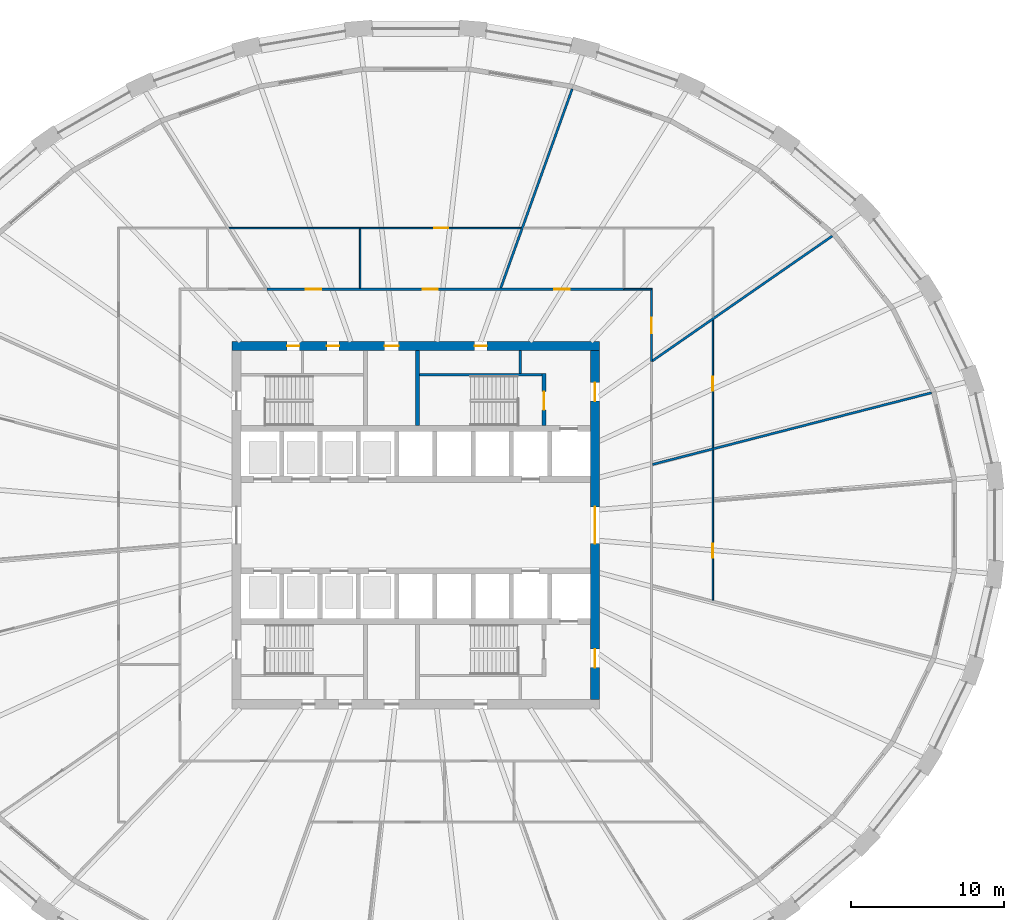
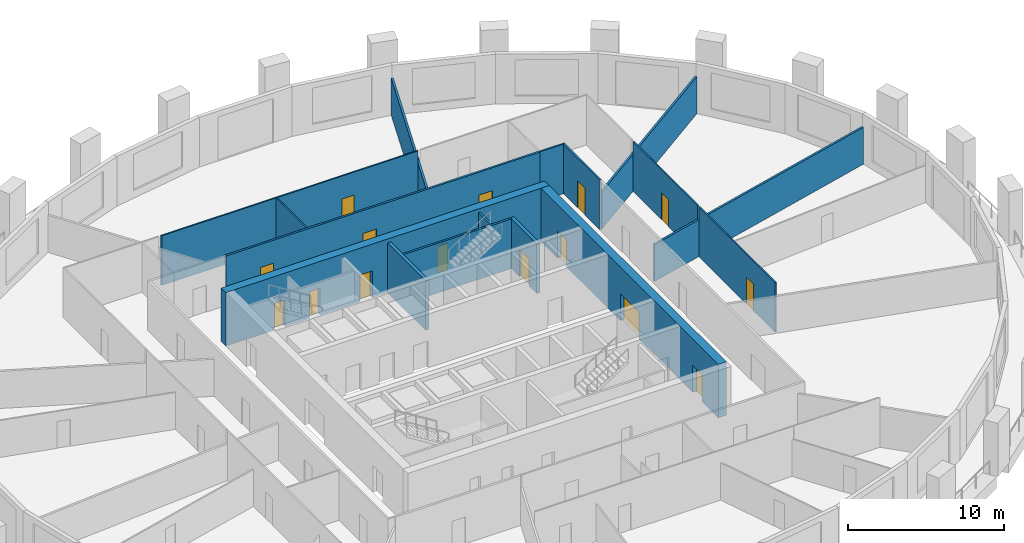
# One storey, part 7 of 12: 16 walls, 15 doors, 15 openings.
"""IFC4 building model written with IfcOpenShell, lengths in metres."""

import ifcopenshell
import ifcopenshell.guid

model = None  # the IFC model being written
_history = None  # IfcOwnerHistory: only IFC2X3 demands one
_inside = {}  # id of a spatial element -> (the spatial element, [elements in it])
_under = {}  # id of a project, library or spatial element -> (it, [spatial elements below it])
_declared = {}  # id of a project -> (the project, [libraries it declares])
_typed = {}  # id of a type object -> (the type object, [elements of that type])
_made_of = {}  # id of a material, layer set ... -> (it, [elements and type objects made of it])


def new_model(schema):
    """Start an empty IFC model of exactly this schema.

    Asked for "IFC4X3", IfcOpenShell would pick the latest addendum, in which some entities
    have other attributes; the version numbers below select the first issue.
    IFC2X3 requires an IfcOwnerHistory on every rooted entity: one is made here for all.
    """
    global model, _history
    if schema == "IFC4X3":
        model = ifcopenshell.file(schema_version=(4, 3, 0, 0))
    else:
        model = ifcopenshell.file(schema=schema)
    _inside.clear()
    _under.clear()
    _declared.clear()
    _typed.clear()
    _made_of.clear()
    _history = None
    if model.schema == "IFC2X3":
        org = make("IfcOrganization", Name="unknown")
        user = make(
            "IfcPersonAndOrganization",
            ThePerson=make("IfcPerson", FamilyName="unknown"),
            TheOrganization=org,
        )
        app = make(
            "IfcApplication",
            ApplicationDeveloper=org,
            Version="unknown",
            ApplicationFullName="unknown",
            ApplicationIdentifier="unknown",
        )
        _history = make(
            "IfcOwnerHistory",
            OwningUser=user,
            OwningApplication=app,
            ChangeAction="ADDED",
            CreationDate=0,
        )
    return model


def make(cls, **values):
    """One entity of the class cls with the attributes given. An attribute that is None is left unset."""
    return model.create_entity(
        cls, **{name: value for name, value in values.items() if value is not None}
    )


def rooted(cls, **values):
    """An entity with a GlobalId (a new one), such as an element, a storey or a relation."""
    return make(cls, GlobalId=ifcopenshell.guid.new(), OwnerHistory=_history, **values)


def si_unit(unit_type, name, prefix=None):
    """IfcSIUnit, for example si_unit("LENGTHUNIT", "METRE", prefix="MILLI")."""
    return make("IfcSIUnit", UnitType=unit_type, Prefix=prefix, Name=name)


def assignment(units):
    """IfcUnitAssignment: the units of a project."""
    return None if units is None else make("IfcUnitAssignment", Units=units)


def point(xyz):
    """IfcCartesianPoint."""
    return None if xyz is None else make("IfcCartesianPoint", Coordinates=xyz)


def direction(xyz):
    """IfcDirection."""
    return None if xyz is None else make("IfcDirection", DirectionRatios=xyz)


def frame(location, z_axis=None, x_axis=None):
    """IfcAxis2Placement3D, a coordinate frame: its origin and axes. An axis left out is left unset."""
    return make(
        "IfcAxis2Placement3D",
        Location=point(location),
        Axis=direction(z_axis),
        RefDirection=direction(x_axis),
    )


def frame_2d(location, x_axis=None):
    """IfcAxis2Placement2D, a coordinate frame in the plane: its origin and x axis."""
    return make(
        "IfcAxis2Placement2D", Location=point(location), RefDirection=direction(x_axis)
    )


def origin():
    """The frame at (0, 0, 0) with its axes left unset."""
    return frame((0.0, 0.0, 0.0))


def place(relative_to, where):
    """IfcLocalPlacement: puts the frame where relative to a parent placement (None: the world)."""
    return make(
        "IfcLocalPlacement", PlacementRelTo=relative_to, RelativePlacement=where
    )


def context(
    kind, dimensions, precision=None, world=None, true_north=None, identifier=None
):
    """IfcGeometricRepresentationContext, for example the 3D "Model" context."""
    return make(
        "IfcGeometricRepresentationContext",
        ContextIdentifier=identifier,
        ContextType=kind,
        CoordinateSpaceDimension=dimensions,
        Precision=precision,
        WorldCoordinateSystem=world,
        TrueNorth=true_north,
    )


def subcontext(parent, identifier, kind, view, scale=None):
    """IfcGeometricRepresentationSubContext, for example "Body" below "Model"."""
    return make(
        "IfcGeometricRepresentationSubContext",
        ContextIdentifier=identifier,
        ContextType=kind,
        ParentContext=parent,
        TargetScale=scale,
        TargetView=view,
    )


def project(units=None, contexts=None):
    """IfcProject with its units and contexts."""
    return rooted(
        "IfcProject",
        Name="project",
        RepresentationContexts=contexts,
        UnitsInContext=assignment(units),
    )


def spatial(cls, under=None, at=None, **own):
    """A site, building, storey or space (cls), placed at a placement, below another one or the project."""
    s = rooted(cls, ObjectPlacement=at, **own)
    if under is not None:
        _under.setdefault(under.id(), (under, []))[1].append(s)
    return s


def polyline(points):
    """IfcPolyline through the points."""
    return make("IfcPolyline", Points=[point(p) for p in points])


def profile(cls, at=None, kind="AREA", **sizes):
    """A parametric profile (cls). Its sizes go by their IFC names, for example OverallWidth=200.0."""
    return make(cls, ProfileType=kind, Position=at, **sizes)


def rectangle(**sizes):
    """IfcRectangleProfileDef."""
    return profile("IfcRectangleProfileDef", **sizes)


def outline(outer, holes=None, kind="AREA"):
    """IfcArbitraryClosedProfileDef: a profile drawn as a closed curve; with holes, ...WithVoids."""
    if holes is None:
        return make("IfcArbitraryClosedProfileDef", ProfileType=kind, OuterCurve=outer)
    return make(
        "IfcArbitraryProfileDefWithVoids",
        ProfileType=kind,
        OuterCurve=outer,
        InnerCurves=holes,
    )


def extrude(swept, where, along, depth):
    """IfcExtrudedAreaSolid: the profile swept, set in the frame where, extruded along a direction by depth."""
    return make(
        "IfcExtrudedAreaSolid",
        SweptArea=swept,
        Position=where,
        ExtrudedDirection=direction(along),
        Depth=depth,
    )


def shape(context_of_items, identifier, shape_type, items):
    """IfcShapeRepresentation: the items that make up one representation, for example the "Body"."""
    return make(
        "IfcShapeRepresentation",
        ContextOfItems=context_of_items,
        RepresentationIdentifier=identifier,
        RepresentationType=shape_type,
        Items=items,
    )


def material(Name=None, Category=None):
    """IfcMaterial."""
    return make("IfcMaterial", Name=Name, Category=Category)


def layer(
    of_material, thickness, ventilated=None, Name=None, Category=None, Priority=None
):
    """IfcMaterialLayer: one layer of a wall or slab, of a material (None: an air gap)."""
    return make(
        "IfcMaterialLayer",
        Material=of_material,
        LayerThickness=thickness,
        IsVentilated=ventilated,
        Name=Name,
        Category=Category,
        Priority=Priority,
    )


def layer_set(layers, Name=None):
    """IfcMaterialLayerSet."""
    return make("IfcMaterialLayerSet", MaterialLayers=layers, LayerSetName=Name)


def made_of(thing, what):
    """Note that an element or type object is made of a material, layer set ...; save() writes the relation."""
    if what is not None:
        _made_of.setdefault(what.id(), (what, []))[1].append(thing)
    return thing


def type_object(cls, material=None, **own):
    """A type object (cls), such as IfcWallType, which elements share."""
    return made_of(rooted(cls, **own), material)


def element(
    cls,
    number,
    at=None,
    inside=None,
    cuts=None,
    type_object=None,
    material=None,
    context=None,
    identifier="Body",
    shape_type=None,
    held_by="IfcProductDefinitionShape",
    body=None,
    shapes=None,
    **own,
):
    """One element of the class cls, such as IfcWall. Its Tag is "e" and its number.

    at: its placement. inside: the storey or other place that contains it. cuts: it is an
    opening in that element (IfcRelVoidsElement). A single representation is given by context,
    identifier, shape_type and body (its items); several are given by shapes. held_by: the class
    of the entity that holds the representations. save() writes the other relations.
    """
    e = rooted(cls, Tag="e%d" % number, ObjectPlacement=at, **own)
    if body is not None:
        shapes = [shape(context, identifier, shape_type, body)]
    if shapes is not None:
        e.Representation = make(held_by, Representations=shapes)
    if inside is not None:
        _inside.setdefault(inside.id(), (inside, []))[1].append(e)
    if cuts is not None:
        rooted(
            "IfcRelVoidsElement", RelatingBuildingElement=cuts, RelatedOpeningElement=e
        )
    if type_object is not None:
        _typed.setdefault(type_object.id(), (type_object, []))[1].append(e)
    return made_of(e, material)


def fill(opening, filler):
    """IfcRelFillsElement: the door or window that sits in an opening."""
    return rooted(
        "IfcRelFillsElement",
        RelatingOpeningElement=opening,
        RelatedBuildingElement=filler,
    )


def aggregate(whole, parts):
    """IfcRelAggregates: a whole, such as a stair, and the parts it consists of."""
    return rooted("IfcRelAggregates", RelatingObject=whole, RelatedObjects=parts)


def save(model, path):
    """Write the relations noted so far, then the file.

    IfcRelAggregates (storeys below a building ...), IfcRelContainedInSpatialStructure (elements
    in a storey), IfcRelDefinesByType, IfcRelAssociatesMaterial and IfcRelDeclares: one each for
    every whole, place, type object, material and project.
    """
    for whole, parts in _under.values():
        aggregate(whole, parts)
    for where, things in _inside.values():
        rooted(
            "IfcRelContainedInSpatialStructure",
            RelatedElements=things,
            RelatingStructure=where,
        )
    for kind, things in _typed.values():
        rooted("IfcRelDefinesByType", RelatedObjects=things, RelatingType=kind)
    for what, things in _made_of.values():
        rooted("IfcRelAssociatesMaterial", RelatedObjects=things, RelatingMaterial=what)
    for by, libraries in _declared.values():
        rooted("IfcRelDeclares", RelatingContext=by, RelatedDefinitions=libraries)
    model.write(path)


model = new_model("IFC4")

# Units and contexts
model_context = context("Model", 3, precision=1e-05, world=origin(), true_north=direction((0.0, 1.0)))
body_context = subcontext(model_context, "Body", "Model", "MODEL_VIEW")
ifc_project = project(units=[si_unit("LENGTHUNIT", "METRE"), si_unit("AREAUNIT", "SQUARE_METRE"), si_unit("VOLUMEUNIT", "CUBIC_METRE"), si_unit("PLANEANGLEUNIT", "RADIAN"), si_unit("MASSUNIT", "GRAM", prefix="KILO")], contexts=[model_context])

# Site, building, storey
site_placement = place(None, origin())
site = spatial("IfcSite", under=ifc_project, at=site_placement, CompositionType="ELEMENT")
building_placement = place(site_placement, origin())
building = spatial("IfcBuilding", under=site, at=building_placement, Name="Halqa Exchange Tower", CompositionType="ELEMENT")
storey_placement = place(building_placement, frame((0.0, 0.0, 27.699951171875)))
storey = spatial("IfcBuildingStorey", under=building, at=storey_placement, Name="L05", CompositionType="ELEMENT", Elevation=27.699951171875)

# Wall, openings, doors
ifc_material_1 = material(Name="Fire-rated gypsum board")
ifc_layer_1 = layer(ifc_material_1, 0.14990234375)
ifc_layer_set_1 = layer_set([ifc_layer_1], Name="Fire-rated gypsum board")
wall_type_1 = type_object("IfcWallType", Name="Fire partition EI 60 150", PredefinedType="PARTITIONING", material=ifc_layer_set_1)
wall_1_placement = place(storey_placement, frame((-9.72998046875, 15.39990234375, 0.0), z_axis=(0.0, 0.0, 1.0), x_axis=(1.0, 0.0, 0.0)))
wall_1 = element("IfcWall", 1, at=wall_1_placement, inside=storey, type_object=wall_type_1, Name="L05-PWL-023", PredefinedType="PARTITIONING", context=body_context, shape_type="SweptSolid", body=[
    extrude(rectangle(XDim=23.330078125, YDim=0.14990234375, at=frame_2d((11.6650390625, 0.0))), origin(), (0.0, 0.0, 1.0), 3.900146484375),
])
opening_1_placement = place(wall_1_placement, frame((18.7900390625, 0.0, 0.0)))
opening_1 = element("IfcOpeningElement", 2, at=opening_1_placement, cuts=wall_1, Name="Opening 01-05", PredefinedType="OPENING", context=body_context, shape_type="SweptSolid", body=[
    extrude(rectangle(XDim=1.0, YDim=2.10009765625, at=frame_2d((0.5, 1.050048828125))), frame((0.0, 0.0869140625, 0.0), z_axis=(0.0, -1.0, 0.0), x_axis=(1.0, 0.0, 0.0)), (0.0, 0.0, 1.0), 0.173828125),
])
opening_2_placement = place(wall_1_placement, frame((10.175048828125, 0.0, 0.0)))
opening_2 = element("IfcOpeningElement", 3, at=opening_2_placement, cuts=wall_1, Name="Opening 01-06", PredefinedType="OPENING", context=body_context, shape_type="SweptSolid", body=[
    extrude(rectangle(XDim=1.0, YDim=2.10009765625, at=frame_2d((0.5, 1.050048828125))), frame((0.0, 0.0869140625, 0.0), z_axis=(0.0, -1.0, 0.0), x_axis=(1.0, 0.0, 0.0)), (0.0, 0.0, 1.0), 0.173828125),
])
opening_3_placement = place(wall_1_placement, frame((2.550048828125, 0.0, 0.0)))
opening_3 = element("IfcOpeningElement", 4, at=opening_3_placement, cuts=wall_1, Name="Opening 01-07", PredefinedType="OPENING", context=body_context, shape_type="SweptSolid", body=[
    extrude(rectangle(XDim=1.0, YDim=2.10009765625, at=frame_2d((0.5, 1.050048828125))), frame((0.0, 0.0869140625, 0.0), z_axis=(0.0, -1.0, 0.0), x_axis=(1.0, 0.0, 0.0)), (0.0, 0.0, 1.0), 0.173828125),
])
ifc_material_2 = material(Name="Steel fire door leaf", Category="steel")
door_type_1 = type_object("IfcDoorType", Name="Fire door FD30S 1000 x 2100", OperationType="SINGLE_SWING_LEFT", PredefinedType="DOOR", material=ifc_material_2)
door_1_placement = place(opening_1_placement, origin())
door_1 = element("IfcDoor", 5, at=door_1_placement, inside=storey, type_object=door_type_1, Name="L05-IDR-005", OperationType="SINGLE_SWING_RIGHT", OverallHeight=2.10009765625, OverallWidth=1.0, PredefinedType="DOOR", context=body_context, shape_type="SweptSolid", body=[
    extrude(rectangle(XDim=1.0, YDim=2.10009765625, at=frame_2d((0.5, 1.050048828125))), frame((0.0, 0.02490234375, 0.0), z_axis=(0.0, -1.0, 0.0), x_axis=(1.0, 0.0, 0.0)), (0.0, 0.0, 1.0), 0.050048828125),
])
fill(opening_1, door_1)
door_2_placement = place(opening_2_placement, origin())
door_2 = element("IfcDoor", 6, at=door_2_placement, inside=storey, type_object=door_type_1, Name="L05-IDR-006", OperationType="SINGLE_SWING_RIGHT", OverallHeight=2.10009765625, OverallWidth=1.0, PredefinedType="DOOR", context=body_context, shape_type="SweptSolid", body=[
    extrude(rectangle(XDim=1.0, YDim=2.10009765625, at=frame_2d((0.5, 1.050048828125))), frame((0.0, 0.02490234375, 0.0), z_axis=(0.0, -1.0, 0.0), x_axis=(1.0, 0.0, 0.0)), (0.0, 0.0, 1.0), 0.050048828125),
])
fill(opening_2, door_2)
door_3_placement = place(opening_3_placement, origin())
door_3 = element("IfcDoor", 7, at=door_3_placement, inside=storey, type_object=door_type_1, Name="L05-IDR-007", OperationType="SINGLE_SWING_RIGHT", OverallHeight=2.10009765625, OverallWidth=1.0, PredefinedType="DOOR", context=body_context, shape_type="SweptSolid", body=[
    extrude(rectangle(XDim=1.0, YDim=2.10009765625, at=frame_2d((0.5, 1.050048828125))), frame((0.0, 0.02490234375, 0.0), z_axis=(0.0, -1.0, 0.0), x_axis=(1.0, 0.0, 0.0)), (0.0, 0.0, 1.0), 0.050048828125),
])
fill(opening_3, door_3)

# Walls
wall_2_placement = place(storey_placement, frame((5.537841796875, 15.449951171875, 0.0), z_axis=(0.0, 0.0, 1.0), x_axis=(0.337914385466, 0.94117685272, 0.0)))
element("IfcWall", 8, at=wall_2_placement, inside=storey, type_object=wall_type_1, Name="L05-PWL-031", PredefinedType="PARTITIONING", context=body_context, shape_type="SweptSolid", body=[
    extrude(outline(polyline([(0.053466796875, -0.074951171875), (1.460205078125, -0.074951171875), (2.866943359375, -0.074951171875), (4.273681640625, -0.074951171875), (4.276611328125, -0.073974609375), (4.27685546875, -0.074951171875), (6.1923828125, -0.074951171875), (8.10791015625, -0.074951171875), (10.0234375, -0.074951171875), (11.93896484375, -0.074951171875), (13.8544921875, -0.074951171875), (13.8544921875, -0.06298828125), (13.85400390625, 0.00146484375), (13.8408203125, 0.074951171875), (11.9169921875, 0.074951171875), (9.9931640625, 0.074951171875), (8.069580078125, 0.074951171875), (6.145751953125, 0.074951171875), (4.22216796875, 0.074951171875), (4.12890625, 0.04150390625), (4.116943359375, 0.074951171875), (2.74462890625, 0.074951171875), (1.372314453125, 0.074951171875), (0.0, 0.074951171875), (0.0, 0.07421875), (0.053466796875, -0.074951171875)])), origin(), (0.0, 0.0, 1.0), 2.91015625),
])
wall_3_placement = place(storey_placement, frame((15.456787109375, 3.964599609375, 0.0), z_axis=(0.0, 0.0, 1.0), x_axis=(0.968588981289, 0.248667218036, 0.0)))
element("IfcWall", 9, at=wall_3_placement, inside=storey, type_object=wall_type_1, Name="L05-PWL-041", PredefinedType="PARTITIONING", context=body_context, shape_type="SweptSolid", body=[
    extrude(outline(polyline([(0.0, -0.074951171875), (1.33349609375, -0.074951171875), (2.666748046875, -0.074951171875), (4.000244140625, -0.074951171875), (4.00048828125, -0.07421875), (4.00341796875, -0.074951171875), (5.85498046875, -0.074951171875), (7.70654296875, -0.074951171875), (9.55810546875, -0.074951171875), (11.40966796875, -0.074951171875), (13.26123046875, -0.074951171875), (15.113037109375, -0.074951171875), (16.964599609375, -0.074951171875), (18.816162109375, -0.074951171875), (18.816162109375, 0.007568359375), (18.80224609375, 0.074951171875), (16.9697265625, 0.074951171875), (15.13720703125, 0.074951171875), (13.3046875, 0.074951171875), (11.47216796875, 0.074951171875), (9.6396484375, 0.074951171875), (7.80712890625, 0.074951171875), (5.974609375, 0.074951171875), (4.141845703125, 0.074951171875), (4.141357421875, 0.07275390625), (4.13330078125, 0.074951171875), (2.76806640625, 0.074951171875), (1.403076171875, 0.074951171875), (0.0380859375, 0.074951171875), (0.0, -0.0732421875), (0.0, -0.074951171875)])), origin(), (0.0, 0.0, 1.0), 2.89208984375),
])
wall_4_placement = place(storey_placement, frame((15.4326171875, 10.71240234375, 0.0), z_axis=(0.0, 0.0, 1.0), x_axis=(0.82152236589, 0.570176290583, 0.0)))
element("IfcWall", 10, at=wall_4_placement, inside=storey, type_object=wall_type_1, Name="L05-PWL-042", PredefinedType="PARTITIONING", context=body_context, shape_type="SweptSolid", body=[
    extrude(outline(polyline([(0.0, -0.074951171875), (1.572021484375, -0.074951171875), (3.144287109375, -0.074951171875), (4.71630859375, -0.074951171875), (4.7177734375, -0.072998046875), (4.720703125, -0.074951171875), (6.644775390625, -0.074951171875), (8.56884765625, -0.074951171875), (10.492919921875, -0.074951171875), (12.416748046875, -0.074951171875), (14.3408203125, -0.074951171875), (14.3408203125, -0.07373046875), (14.336181640625, 0.000244140625), (14.316162109375, 0.074951171875), (12.44140625, 0.074951171875), (10.566650390625, 0.074951171875), (8.69189453125, 0.074951171875), (6.81689453125, 0.074951171875), (4.942138671875, 0.074951171875), (4.941162109375, 0.073486328125), (4.93896484375, 0.074951171875), (3.321044921875, 0.074951171875), (1.703125, 0.074951171875), (0.08544921875, 0.074951171875), (0.009765625, -0.033935546875), (0.02197265625, -0.04248046875), (0.0, -0.07421875), (0.0, -0.074951171875)])), origin(), (0.0, 0.0, 1.0), 2.91015625),
])
ifc_material_3 = material(Name="Fire-rated glazing", Category="glass")
ifc_layer_2 = layer(ifc_material_3, 0.1201171875)
ifc_layer_set_2 = layer_set([ifc_layer_2], Name="Fire-rated glazing")
wall_type_2 = type_object("IfcWallType", Name="Glazed fire partition EI 60 120", PredefinedType="PARTITIONING", material=ifc_layer_set_2)
wall_5_placement = place(storey_placement, frame((13.60009765625, 15.39990234375, 0.0), z_axis=(0.0, 0.0, 1.0), x_axis=(1.0, 0.0, 0.0)))
element("IfcWall", 11, at=wall_5_placement, inside=storey, type_object=wall_type_2, Name="L05-PWL-037", PredefinedType="PARTITIONING", context=body_context, shape_type="SweptSolid", body=[
    extrude(outline(polyline([(0.0, -0.06005859375), (1.73974609375, -0.06005859375), (1.85986328125, 0.06005859375), (0.0, 0.06005859375), (0.0, -0.06005859375)])), origin(), (0.0, 0.0, 1.0), 3.900146484375),
])

# Wall, opening, door
wall_6_placement = place(storey_placement, frame((15.39990234375, 15.4599609375, 0.0), z_axis=(0.0, 0.0, 1.0), x_axis=(0.0, -1.0, 0.0)))
wall_6 = element("IfcWall", 12, at=wall_6_placement, inside=storey, type_object=wall_type_2, Name="L05-PWL-043", PredefinedType="PARTITIONING", context=body_context, shape_type="SweptSolid", body=[
    extrude(outline(polyline([(4.77001953125, 0.06005859375), (3.179931640625, 0.06005859375), (1.590087890625, 0.06005859375), (0.0, 0.06005859375), (0.1201171875, -0.06005859375), (1.670166015625, -0.06005859375), (3.219970703125, -0.06005859375), (4.77001953125, -0.06005859375), (4.77001953125, 0.06005859375)])), origin(), (0.0, 0.0, 1.0), 3.900146484375),
])
opening_4_placement = place(wall_6_placement, frame((1.9150390625, 0.0, 0.0)))
opening_4 = element("IfcOpeningElement", 13, at=opening_4_placement, cuts=wall_6, Name="Opening 01-04", PredefinedType="OPENING", context=body_context, shape_type="SweptSolid", body=[
    extrude(rectangle(XDim=1.0, YDim=2.10009765625, at=frame_2d((0.5, 1.050048828125))), frame((0.0, 0.072021484375, 0.0), z_axis=(0.0, -1.0, 0.0), x_axis=(1.0, 0.0, 0.0)), (0.0, 0.0, 1.0), 0.14404296875),
])
door_4_placement = place(opening_4_placement, origin())
door_4 = element("IfcDoor", 14, at=door_4_placement, inside=storey, type_object=door_type_1, Name="L05-IDR-004", OperationType="SINGLE_SWING_LEFT", OverallHeight=2.10009765625, OverallWidth=1.0, PredefinedType="DOOR", context=body_context, shape_type="SweptSolid", body=[
    extrude(rectangle(XDim=1.0, YDim=2.10009765625, at=frame_2d((0.5, 1.050048828125))), frame((0.0, 0.02490234375, 0.0), z_axis=(0.0, -1.0, 0.0), x_axis=(1.0, 0.0, 0.0)), (0.0, 0.0, 1.0), 0.050048828125),
])
fill(opening_4, door_4)

ifc_material_4 = material(Name="Gypsum board")
ifc_layer_3 = layer(ifc_material_4, 0.10009765625)
ifc_layer_set_3 = layer_set([ifc_layer_3], Name="Gypsum board")
wall_type_3 = type_object("IfcWallType", Name="Partition 100 gypsum", PredefinedType="PARTITIONING", material=ifc_layer_set_3)
wall_7_placement = place(storey_placement, frame((-12.199951171875, 19.39990234375, 0.0), z_axis=(0.0, 0.0, 1.0), x_axis=(1.0, 0.0, 0.0)))
wall_7 = element("IfcWall", 15, at=wall_7_placement, inside=storey, type_object=wall_type_3, Name="L05-PWL-021", PredefinedType="PARTITIONING", context=body_context, shape_type="SweptSolid", body=[
    extrude(outline(polyline([(0.06298828125, -0.050048828125), (1.75439453125, -0.050048828125), (3.44580078125, -0.050048828125), (5.13720703125, -0.050048828125), (6.82861328125, -0.050048828125), (8.52001953125, -0.050048828125), (8.52001953125, -0.0498046875), (8.619873046875, -0.0498046875), (8.619873046875, -0.050048828125), (10.359619140625, -0.050048828125), (12.099365234375, -0.050048828125), (13.839111328125, -0.050048828125), (15.578857421875, -0.050048828125), (17.318603515625, -0.050048828125), (19.058349609375, -0.050048828125), (19.093994140625, 0.04931640625), (19.093994140625, 0.050048828125), (17.1845703125, 0.050048828125), (15.275146484375, 0.050048828125), (13.36572265625, 0.050048828125), (11.456298828125, 0.050048828125), (9.546875, 0.050048828125), (7.6376953125, 0.050048828125), (5.728271484375, 0.050048828125), (3.81884765625, 0.050048828125), (1.909423828125, 0.050048828125), (0.0, 0.050048828125), (0.0, 0.049560546875), (0.06298828125, -0.050048828125)])), origin(), (0.0, 0.0, 1.0), 3.900146484375),
])
opening_5_placement = place(wall_7_placement, frame((13.4150390625, 0.0, 0.0)))
opening_5 = element("IfcOpeningElement", 16, at=opening_5_placement, cuts=wall_7, Name="Opening 01-21", PredefinedType="OPENING", context=body_context, shape_type="SweptSolid", body=[
    extrude(rectangle(XDim=0.89990234375, YDim=2.10009765625, at=frame_2d((0.449951171875, 1.050048828125))), frame((0.0, 0.06201171875, 0.0), z_axis=(0.0, -1.0, 0.0), x_axis=(1.0, 0.0, 0.0)), (0.0, 0.0, 1.0), 0.1240234375),
])
ifc_material_5 = material(Name="Timber door leaf", Category="wood")
door_type_2 = type_object("IfcDoorType", Name="Door 900 x 2100", OperationType="SINGLE_SWING_LEFT", PredefinedType="DOOR", material=ifc_material_5)
door_5_placement = place(opening_5_placement, frame((0.89990234375, 0.0, 0.0), z_axis=(0.0, 0.0, 1.0), x_axis=(-1.0, 0.0, 0.0)))
door_5 = element("IfcDoor", 17, at=door_5_placement, inside=storey, type_object=door_type_2, Name="L05-IDR-021", OperationType="SINGLE_SWING_RIGHT", OverallHeight=2.10009765625, OverallWidth=0.89990234375, PredefinedType="DOOR", context=body_context, shape_type="SweptSolid", body=[
    extrude(rectangle(XDim=0.89990234375, YDim=2.10009765625, at=frame_2d((0.449951171875, 1.050048828125))), frame((0.0, 0.02490234375, 0.0), z_axis=(0.0, -1.0, 0.0), x_axis=(1.0, 0.0, 0.0)), (0.0, 0.0, 1.0), 0.050048828125),
])
fill(opening_5, door_5)

# Wall
wall_8_placement = place(storey_placement, frame((-3.6298828125, 15.47509765625, 0.0), z_axis=(0.0, 0.0, 1.0), x_axis=(0.0, 1.0, 0.0)))
element("IfcWall", 18, at=wall_8_placement, inside=storey, type_object=wall_type_3, Name="L05-PWL-026", PredefinedType="PARTITIONING", context=body_context, shape_type="SweptSolid", body=[
    extrude(rectangle(XDim=3.875, YDim=0.10009765625, at=frame_2d((1.9375, 0.0))), origin(), (0.0, 0.0, 1.0), 3.900146484375),
])

# Wall, opening, door
wall_9_placement = place(storey_placement, frame((19.39990234375, -4.912109375, 0.0), z_axis=(0.0, 0.0, 1.0), x_axis=(0.0, 1.0, 0.0)))
wall_9 = element("IfcWall", 19, at=wall_9_placement, inside=storey, type_object=wall_type_3, Name="L05-PWL-044", PredefinedType="PARTITIONING", context=body_context, shape_type="SweptSolid", body=[
    extrude(outline(polyline([(9.82421875, -0.050048828125), (9.82421875, -0.04931640625), (9.798583984375, 0.050048828125), (7.843994140625, 0.050048828125), (5.889404296875, 0.050048828125), (3.934814453125, 0.050048828125), (1.980224609375, 0.050048828125), (0.025634765625, 0.050048828125), (0.0, -0.04931640625), (0.0, -0.050048828125), (1.96484375, -0.050048828125), (3.9296875, -0.050048828125), (5.89453125, -0.050048828125), (7.859375, -0.050048828125), (9.82421875, -0.050048828125)])), origin(), (0.0, 0.0, 1.0), 3.900146484375),
])
opening_6_placement = place(wall_9_placement, frame((2.781982421875, 0.0, 0.0)))
opening_6 = element("IfcOpeningElement", 20, at=opening_6_placement, cuts=wall_9, Name="Opening 01-17", PredefinedType="OPENING", context=body_context, shape_type="SweptSolid", body=[
    extrude(rectangle(XDim=0.89990234375, YDim=2.10009765625, at=frame_2d((0.449951171875, 1.050048828125))), frame((0.0, 0.06201171875, 0.0), z_axis=(0.0, -1.0, 0.0), x_axis=(1.0, 0.0, 0.0)), (0.0, 0.0, 1.0), 0.1240234375),
])
door_6_placement = place(opening_6_placement, origin())
door_6 = element("IfcDoor", 21, at=door_6_placement, inside=storey, type_object=door_type_2, Name="L05-IDR-017", OperationType="SINGLE_SWING_RIGHT", OverallHeight=2.10009765625, OverallWidth=0.89990234375, PredefinedType="DOOR", context=body_context, shape_type="SweptSolid", body=[
    extrude(rectangle(XDim=0.89990234375, YDim=2.10009765625, at=frame_2d((0.449951171875, 1.050048828125))), frame((0.0, 0.02490234375, 0.0), z_axis=(0.0, -1.0, 0.0), x_axis=(1.0, 0.0, 0.0)), (0.0, 0.0, 1.0), 0.050048828125),
])
fill(opening_6, door_6)

wall_10_placement = place(storey_placement, frame((19.39990234375, 13.408935546875, 0.0), z_axis=(0.0, 0.0, 1.0), x_axis=(0.0, -1.0, 0.0)))
wall_10 = element("IfcWall", 22, at=wall_10_placement, inside=storey, type_object=wall_type_3, Name="L05-PWL-046", PredefinedType="PARTITIONING", context=body_context, shape_type="SweptSolid", body=[
    extrude(outline(polyline([(8.366943359375, -0.050048828125), (8.366943359375, -0.048095703125), (8.341796875, 0.050048828125), (6.67333984375, 0.050048828125), (5.005126953125, 0.050048828125), (3.336669921875, 0.050048828125), (1.66845703125, 0.050048828125), (0.0, 0.050048828125), (0.0, 0.049072265625), (0.06884765625, -0.050048828125), (1.728515625, -0.050048828125), (3.38818359375, -0.050048828125), (5.047607421875, -0.050048828125), (6.707275390625, -0.050048828125), (8.366943359375, -0.050048828125)])), origin(), (0.0, 0.0, 1.0), 3.900146484375),
])
opening_7_placement = place(wall_10_placement, frame((3.73388671875, 0.0, 0.0)))
opening_7 = element("IfcOpeningElement", 23, at=opening_7_placement, cuts=wall_10, Name="Opening 01-19", PredefinedType="OPENING", context=body_context, shape_type="SweptSolid", body=[
    extrude(rectangle(XDim=0.89990234375, YDim=2.10009765625, at=frame_2d((0.449951171875, 1.050048828125))), frame((0.0, 0.06201171875, 0.0), z_axis=(0.0, -1.0, 0.0), x_axis=(1.0, 0.0, 0.0)), (0.0, 0.0, 1.0), 0.1240234375),
])
door_7_placement = place(opening_7_placement, frame((0.89990234375, 0.0, 0.0), z_axis=(0.0, 0.0, 1.0), x_axis=(-1.0, 0.0, 0.0)))
door_7 = element("IfcDoor", 24, at=door_7_placement, inside=storey, type_object=door_type_2, Name="L05-IDR-019", OperationType="SINGLE_SWING_LEFT", OverallHeight=2.10009765625, OverallWidth=0.89990234375, PredefinedType="DOOR", context=body_context, shape_type="SweptSolid", body=[
    extrude(rectangle(XDim=0.89990234375, YDim=2.10009765625, at=frame_2d((0.449951171875, 1.050048828125))), frame((0.0, 0.02490234375, 0.0), z_axis=(0.0, -1.0, 0.0), x_axis=(1.0, 0.0, 0.0)), (0.0, 0.0, 1.0), 0.050048828125),
])
fill(opening_7, door_7)

# Wall
ifc_layer_4 = layer(ifc_material_4, 0.14990234375)
ifc_layer_set_4 = layer_set([ifc_layer_4], Name="Gypsum board")
wall_type_4 = type_object("IfcWallType", Name="Penthouse riser wall 150 gypsum", PredefinedType="PARTITIONING", material=ifc_layer_set_4)
wall_11_placement = place(storey_placement, frame((6.824951171875, 9.89990234375, 0.0), z_axis=(0.0, 0.0, 1.0), x_axis=(0.0, 1.0, 0.0)))
element("IfcWall", 25, at=wall_11_placement, inside=storey, type_object=wall_type_4, Name="Firefighting lobby west wall N", PredefinedType="PARTITIONING", context=body_context, shape_type="SweptSolid", body=[
    extrude(rectangle(XDim=1.5, YDim=0.14990234375, at=frame_2d((0.75, 0.0))), origin(), (0.0, 0.0, 1.0), 3.900146484375),
])

# Wall, openings, doors
ifc_material_6 = material(Name="Concrete C80/95", Category="concrete")
ifc_layer_5 = layer(ifc_material_6, 0.60009765625)
ifc_layer_set_5 = layer_set([ifc_layer_5], Name="Concrete C80/95")
wall_type_5 = type_object("IfcWallType", Name="RC core wall 600 C80/95", PredefinedType="SHEAR", material=ifc_layer_set_5)
wall_12_placement = place(storey_placement, frame((-12.0, 11.699951171875, 0.0), z_axis=(0.0, 0.0, 1.0), x_axis=(1.0, 0.0, 0.0)))
wall_12 = element("IfcWall", 26, at=wall_12_placement, inside=storey, type_object=wall_type_5, Name="Core wall north", PredefinedType="SHEAR", context=body_context, shape_type="SweptSolid", body=[
    extrude(rectangle(XDim=24.0, YDim=0.60009765625, at=frame_2d((12.0, 0.0))), origin(), (0.0, 0.0, 1.0), 4.199951171875),
])
opening_8_placement = place(wall_12_placement, frame((9.97509765625, 0.0, 0.0)))
opening_8 = element("IfcOpeningElement", 27, at=opening_8_placement, cuts=wall_12, Name="Opening T01-C21", PredefinedType="OPENING", context=body_context, shape_type="SweptSolid", body=[
    extrude(rectangle(XDim=0.89990234375, YDim=2.10009765625, at=frame_2d((0.449951171875, 1.050048828125))), frame((0.0, 0.31201171875, 0.0), z_axis=(0.0, -1.0, 0.0), x_axis=(1.0, 0.0, 0.0)), (0.0, 0.0, 1.0), 0.6240234375),
])
opening_9_placement = place(wall_12_placement, frame((3.60009765625, 0.0, 0.0)))
opening_9 = element("IfcOpeningElement", 28, at=opening_9_placement, cuts=wall_12, Name="Opening T01-C22", PredefinedType="OPENING", context=body_context, shape_type="SweptSolid", body=[
    extrude(rectangle(XDim=0.800048828125, YDim=2.10009765625, at=frame_2d((0.39990234375, 1.050048828125))), frame((0.0, 0.31201171875, 0.0), z_axis=(0.0, -1.0, 0.0), x_axis=(1.0, 0.0, 0.0)), (0.0, 0.0, 1.0), 0.6240234375),
])
opening_10_placement = place(wall_12_placement, frame((6.199951171875, 0.0, 0.0)))
opening_10 = element("IfcOpeningElement", 29, at=opening_10_placement, cuts=wall_12, Name="Opening T01-C23", PredefinedType="OPENING", context=body_context, shape_type="SweptSolid", body=[
    extrude(rectangle(XDim=0.800048828125, YDim=2.10009765625, at=frame_2d((0.39990234375, 1.050048828125))), frame((0.0, 0.31201171875, 0.0), z_axis=(0.0, -1.0, 0.0), x_axis=(1.0, 0.0, 0.0)), (0.0, 0.0, 1.0), 0.6240234375),
])
opening_11_placement = place(wall_12_placement, frame((15.85009765625, 0.0, 0.0)))
opening_11 = element("IfcOpeningElement", 30, at=opening_11_placement, cuts=wall_12, Name="Opening T01-C24", PredefinedType="OPENING", context=body_context, shape_type="SweptSolid", body=[
    extrude(rectangle(XDim=0.800048828125, YDim=2.10009765625, at=frame_2d((0.39990234375, 1.050048828125))), frame((0.0, 0.31201171875, 0.0), z_axis=(0.0, -1.0, 0.0), x_axis=(1.0, 0.0, 0.0)), (0.0, 0.0, 1.0), 0.6240234375),
])
ifc_material_7 = material(Name="Timber fire door leaf", Category="wood")
door_type_3 = type_object("IfcDoorType", Name="Core room door FD30 900 x 2100", OperationType="SINGLE_SWING_LEFT", PredefinedType="DOOR", material=ifc_material_7)
door_8_placement = place(opening_8_placement, frame((0.89990234375, 0.0, 0.0), z_axis=(0.0, 0.0, 1.0), x_axis=(-1.0, 0.0, 0.0)))
door_8 = element("IfcDoor", 31, at=door_8_placement, inside=storey, type_object=door_type_3, Name="Core room door", OperationType="SINGLE_SWING_LEFT", OverallHeight=2.10009765625, OverallWidth=0.89990234375, PredefinedType="DOOR", context=body_context, shape_type="SweptSolid", body=[
    extrude(rectangle(XDim=0.89990234375, YDim=2.10009765625, at=frame_2d((0.449951171875, 1.050048828125))), frame((0.0, 0.02490234375, 0.0), z_axis=(0.0, -1.0, 0.0), x_axis=(1.0, 0.0, 0.0)), (0.0, 0.0, 1.0), 0.050048828125),
])
fill(opening_8, door_8)
door_type_4 = type_object("IfcDoorType", Name="Riser door FD60 800 x 2100", OperationType="SINGLE_SWING_LEFT", PredefinedType="DOOR", material=ifc_material_2)
door_9_placement = place(opening_9_placement, frame((0.800048828125, 0.0, 0.0), z_axis=(0.0, 0.0, 1.0), x_axis=(-1.0, 0.0, 0.0)))
door_9 = element("IfcDoor", 32, at=door_9_placement, inside=storey, type_object=door_type_4, Name="Core room door", OperationType="SINGLE_SWING_RIGHT", OverallHeight=2.10009765625, OverallWidth=0.800048828125, PredefinedType="DOOR", context=body_context, shape_type="SweptSolid", body=[
    extrude(rectangle(XDim=0.800048828125, YDim=2.10009765625, at=frame_2d((0.39990234375, 1.050048828125))), frame((0.0, 0.02490234375, 0.0), z_axis=(0.0, -1.0, 0.0), x_axis=(1.0, 0.0, 0.0)), (0.0, 0.0, 1.0), 0.050048828125),
])
fill(opening_9, door_9)
door_10_placement = place(opening_10_placement, frame((0.800048828125, 0.0, 0.0), z_axis=(0.0, 0.0, 1.0), x_axis=(-1.0, 0.0, 0.0)))
door_10 = element("IfcDoor", 33, at=door_10_placement, inside=storey, type_object=door_type_4, Name="Core room door", OperationType="SINGLE_SWING_LEFT", OverallHeight=2.10009765625, OverallWidth=0.800048828125, PredefinedType="DOOR", context=body_context, shape_type="SweptSolid", body=[
    extrude(rectangle(XDim=0.800048828125, YDim=2.10009765625, at=frame_2d((0.39990234375, 1.050048828125))), frame((0.0, 0.02490234375, 0.0), z_axis=(0.0, -1.0, 0.0), x_axis=(1.0, 0.0, 0.0)), (0.0, 0.0, 1.0), 0.050048828125),
])
fill(opening_10, door_10)
door_11_placement = place(opening_11_placement, frame((0.800048828125, 0.0, 0.0), z_axis=(0.0, 0.0, 1.0), x_axis=(-1.0, 0.0, 0.0)))
door_11 = element("IfcDoor", 34, at=door_11_placement, inside=storey, type_object=door_type_4, Name="Core room door", OperationType="SINGLE_SWING_RIGHT", OverallHeight=2.10009765625, OverallWidth=0.800048828125, PredefinedType="DOOR", context=body_context, shape_type="SweptSolid", body=[
    extrude(rectangle(XDim=0.800048828125, YDim=2.10009765625, at=frame_2d((0.39990234375, 1.050048828125))), frame((0.0, 0.02490234375, 0.0), z_axis=(0.0, -1.0, 0.0), x_axis=(1.0, 0.0, 0.0)), (0.0, 0.0, 1.0), 0.050048828125),
])
fill(opening_11, door_11)

wall_13_placement = place(storey_placement, frame((11.699951171875, -11.39990234375, 0.0), z_axis=(0.0, 0.0, 1.0), x_axis=(0.0, 1.0, 0.0)))
wall_13 = element("IfcWall", 35, at=wall_13_placement, inside=storey, type_object=wall_type_5, Name="Core wall east", PredefinedType="SHEAR", context=body_context, shape_type="SweptSolid", body=[
    extrude(rectangle(XDim=22.7998046875, YDim=0.60009765625, at=frame_2d((11.39990234375, 0.0))), origin(), (0.0, 0.0, 1.0), 4.199951171875),
])
opening_12_placement = place(wall_13_placement, frame((10.199951171875, 0.0, 0.0)))
opening_12 = element("IfcOpeningElement", 36, at=opening_12_placement, cuts=wall_13, Name="Opening T01-C14", PredefinedType="OPENING", context=body_context, shape_type="SweptSolid", body=[
    extrude(rectangle(XDim=2.39990234375, YDim=2.10009765625, at=frame_2d((1.199951171875, 1.050048828125))), frame((0.0, 0.31201171875, 0.0), z_axis=(0.0, -1.0, 0.0), x_axis=(1.0, 0.0, 0.0)), (0.0, 0.0, 1.0), 0.6240234375),
])
opening_13_placement = place(wall_13_placement, frame((19.5, 0.0, 0.0)))
opening_13 = element("IfcOpeningElement", 37, at=opening_13_placement, cuts=wall_13, Name="Opening T01-C19", PredefinedType="OPENING", context=body_context, shape_type="SweptSolid", body=[
    extrude(rectangle(XDim=1.199951171875, YDim=2.10009765625, at=frame_2d((0.60009765625, 1.050048828125))), frame((0.0, 0.31201171875, 0.0), z_axis=(0.0, -1.0, 0.0), x_axis=(1.0, 0.0, 0.0)), (0.0, 0.0, 1.0), 0.6240234375),
])
opening_14_placement = place(wall_13_placement, frame((2.10009765625, 0.0, 0.0)))
opening_14 = element("IfcOpeningElement", 38, at=opening_14_placement, cuts=wall_13, Name="Opening T01-C20", PredefinedType="OPENING", context=body_context, shape_type="SweptSolid", body=[
    extrude(rectangle(XDim=1.199951171875, YDim=2.10009765625, at=frame_2d((0.60009765625, 1.050048828125))), frame((0.0, 0.31201171875, 0.0), z_axis=(0.0, -1.0, 0.0), x_axis=(1.0, 0.0, 0.0)), (0.0, 0.0, 1.0), 0.6240234375),
])
door_type_5 = type_object("IfcDoorType", Name="Firefighting lobby door FD90 1200 x 2100", OperationType="SINGLE_SWING_RIGHT", PredefinedType="DOOR", material=ifc_material_2)
door_12_placement = place(opening_13_placement, origin())
door_12 = element("IfcDoor", 39, at=door_12_placement, inside=storey, type_object=door_type_5, Name="Firefighting lobby door", OperationType="SINGLE_SWING_RIGHT", OverallHeight=2.10009765625, OverallWidth=1.199951171875, PredefinedType="DOOR", context=body_context, shape_type="SweptSolid", body=[
    extrude(rectangle(XDim=1.199951171875, YDim=2.10009765625, at=frame_2d((0.60009765625, 1.050048828125))), frame((0.0, 0.02490234375, 0.0), z_axis=(0.0, -1.0, 0.0), x_axis=(1.0, 0.0, 0.0)), (0.0, 0.0, 1.0), 0.050048828125),
])
fill(opening_13, door_12)
door_13_placement = place(opening_14_placement, origin())
door_13 = element("IfcDoor", 40, at=door_13_placement, inside=storey, type_object=door_type_5, Name="Firefighting lobby door", OperationType="SINGLE_SWING_LEFT", OverallHeight=2.10009765625, OverallWidth=1.199951171875, PredefinedType="DOOR", context=body_context, shape_type="SweptSolid", body=[
    extrude(rectangle(XDim=1.199951171875, YDim=2.10009765625, at=frame_2d((0.60009765625, 1.050048828125))), frame((0.0, 0.02490234375, 0.0), z_axis=(0.0, -1.0, 0.0), x_axis=(1.0, 0.0, 0.0)), (0.0, 0.0, 1.0), 0.050048828125),
])
fill(opening_14, door_13)
door_type_6 = type_object("IfcDoorType", Name="Lobby double door FD60 2400 x 2100", OperationType="DOUBLE_DOOR_SINGLE_SWING", PredefinedType="DOOR", material=ifc_material_2)
door_14_placement = place(opening_12_placement, origin())
door_14 = element("IfcDoor", 41, at=door_14_placement, inside=storey, type_object=door_type_6, Name="Lift lobby double door", OperationType="DOUBLE_DOOR_SINGLE_SWING", OverallHeight=2.10009765625, OverallWidth=2.39990234375, PredefinedType="DOOR", context=body_context, shape_type="SweptSolid", body=[
    extrude(rectangle(XDim=2.39990234375, YDim=2.10009765625, at=frame_2d((1.199951171875, 1.050048828125))), frame((0.0, 0.02490234375, 0.0), z_axis=(0.0, -1.0, 0.0), x_axis=(1.0, 0.0, 0.0)), (0.0, 0.0, 1.0), 0.050048828125),
])
fill(opening_12, door_14)

# Walls
ifc_material_8 = material(Name="Concrete C30/37", Category="concrete")
ifc_layer_6 = layer(ifc_material_8, 0.14990234375)
ifc_layer_set_6 = layer_set([ifc_layer_6], Name="Concrete C30/37")
wall_type_6 = type_object("IfcWallType", Name="RC stair wall 150 C30/37", PredefinedType="SHEAR", material=ifc_layer_set_6)
wall_14_placement = place(storey_placement, frame((0.25, 9.824951171875, 0.0), z_axis=(0.0, 0.0, 1.0), x_axis=(1.0, 0.0, 0.0)))
element("IfcWall", 42, at=wall_14_placement, inside=storey, type_object=wall_type_6, Name="Stair ST2 north wall N", PredefinedType="SHEAR", context=body_context, shape_type="SweptSolid", body=[
    extrude(rectangle(XDim=8.0, YDim=0.14990234375, at=frame_2d((4.0, 0.0))), origin(), (0.0, 0.0, 1.0), 3.900146484375),
])
ifc_layer_7 = layer(ifc_material_8, 0.25)
ifc_layer_set_7 = layer_set([ifc_layer_7], Name="Concrete C30/37")
wall_type_7 = type_object("IfcWallType", Name="RC stair wall 250 C30/37", PredefinedType="SHEAR", material=ifc_layer_set_7)
wall_15_placement = place(storey_placement, frame((0.125, 6.5, 0.0), z_axis=(0.0, 0.0, 1.0), x_axis=(0.0, 1.0, 0.0)))
element("IfcWall", 43, at=wall_15_placement, inside=storey, type_object=wall_type_7, Name="Stair ST2 west wall N", PredefinedType="SHEAR", context=body_context, shape_type="SweptSolid", body=[
    extrude(rectangle(XDim=4.89990234375, YDim=0.25, at=frame_2d((2.449951171875, 0.0))), origin(), (0.0, 0.0, 1.0), 3.900146484375),
])

# Wall, opening, door
wall_16_placement = place(storey_placement, frame((8.375, 6.5, 0.0), z_axis=(0.0, 0.0, 1.0), x_axis=(0.0, 1.0, 0.0)))
wall_16 = element("IfcWall", 44, at=wall_16_placement, inside=storey, type_object=wall_type_7, Name="Stair ST2 east wall N", PredefinedType="SHEAR", context=body_context, shape_type="SweptSolid", body=[
    extrude(rectangle(XDim=3.39990234375, YDim=0.25, at=frame_2d((1.699951171875, 0.0))), origin(), (0.0, 0.0, 1.0), 3.900146484375),
])
opening_15_placement = place(wall_16_placement, frame((1.02490234375, 0.0, 0.0)))
opening_15 = element("IfcOpeningElement", 45, at=opening_15_placement, cuts=wall_16, Name="Opening T01-C16", PredefinedType="OPENING", context=body_context, shape_type="SweptSolid", body=[
    extrude(rectangle(XDim=1.199951171875, YDim=2.10009765625, at=frame_2d((0.60009765625, 1.050048828125))), frame((0.0, 0.136962890625, 0.0), z_axis=(0.0, -1.0, 0.0), x_axis=(1.0, 0.0, 0.0)), (0.0, 0.0, 1.0), 0.27392578125),
])
door_type_7 = type_object("IfcDoorType", Name="Stair door FD90 1200 x 2100", OperationType="SINGLE_SWING_LEFT", PredefinedType="DOOR", material=ifc_material_2)
door_15_placement = place(opening_15_placement, origin())
door_15 = element("IfcDoor", 46, at=door_15_placement, inside=storey, type_object=door_type_7, Name="Stair door ST2", OperationType="SINGLE_SWING_RIGHT", OverallHeight=2.10009765625, OverallWidth=1.199951171875, PredefinedType="DOOR", context=body_context, shape_type="SweptSolid", body=[
    extrude(rectangle(XDim=1.199951171875, YDim=2.10009765625, at=frame_2d((0.60009765625, 1.050048828125))), frame((0.0, 0.02490234375, 0.0), z_axis=(0.0, -1.0, 0.0), x_axis=(1.0, 0.0, 0.0)), (0.0, 0.0, 1.0), 0.050048828125),
])
fill(opening_15, door_15)

save(model, "model.ifc")
